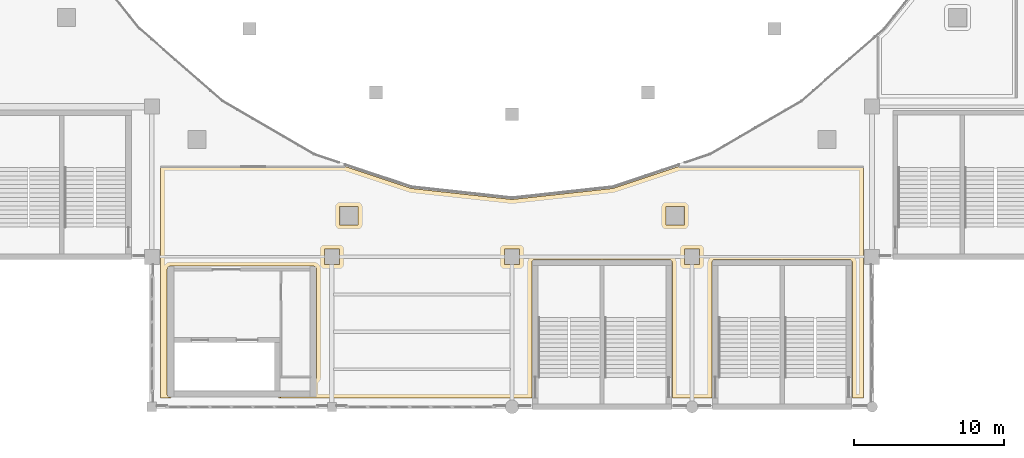
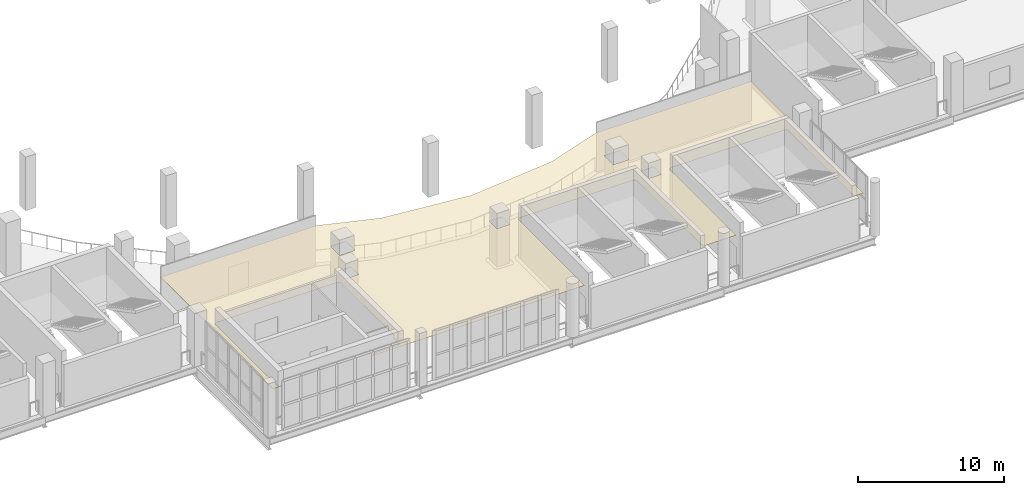
# One storey, part 98 of 108: 1 covering.
"""IFC4 building model written with IfcOpenShell, lengths in metres."""

from ifc_helpers import new_model, si_unit, direction, frame, origin, place, context, subcontext, project, spatial, polyline, outline, extrude, material, layer, layer_set, type_object, element, save


model = new_model("IFC4")

# Units and contexts
model_context = context("Model", 3, precision=1e-05, world=origin(), true_north=direction((0.0, 1.0)))
body_context = subcontext(model_context, "Body", "Model", "MODEL_VIEW")
ifc_project = project(units=[si_unit("LENGTHUNIT", "METRE"), si_unit("AREAUNIT", "SQUARE_METRE"), si_unit("VOLUMEUNIT", "CUBIC_METRE"), si_unit("PLANEANGLEUNIT", "RADIAN"), si_unit("MASSUNIT", "GRAM", prefix="KILO")], contexts=[model_context])

# Site, building, storey
site_placement = place(None, origin())
site = spatial("IfcSite", under=ifc_project, at=site_placement, CompositionType="ELEMENT")
building_placement = place(site_placement, origin())
building = spatial("IfcBuilding", under=site, at=building_placement, Name="Brinegate Civic Arena", CompositionType="ELEMENT")
storey_placement = place(building_placement, frame((0.0, 0.0, 10.199951171875)))
storey = spatial("IfcBuildingStorey", under=building, at=storey_placement, Name="L02", CompositionType="ELEMENT", Elevation=10.199951171875)

# Covering
ifc_material = material(Name="Acoustic perforated aluminium ceiling", Category="aluminium")
ifc_layer = layer(ifc_material, 0.01806640625, Name="Acoustic perforated aluminium ceiling")
ifc_layer_set = layer_set([ifc_layer], Name="Acoustic perforated aluminium ceiling")
covering_type = type_object("IfcCoveringType", Name="CEILING-MOISTURE-18", PredefinedType="CEILING", material=ifc_layer_set)
covering_placement = place(storey_placement, frame((0.0, 0.0, 3.23193359375)))
element("IfcCovering", 1, at=covering_placement, inside=storey, type_object=covering_type, Name="Acoustic Ceiling L02-002", PredefinedType="CEILING", context=body_context, shape_type="SweptSolid", body=[
    extrude(outline(polyline([(131.419921875, 0.595947265625), (131.4189453125, 0.593994140625), (131.41796875, 0.592041015625), (131.41796875, 0.591064453125), (131.4169921875, 0.589111328125), (131.4150390625, 0.5869140625), (131.4140625, 0.5859375), (131.4130859375, 0.5849609375), (131.410888671875, 0.5830078125), (131.408935546875, 0.58203125), (131.407958984375, 0.58203125), (131.406005859375, 0.5810546875), (131.404052734375, 0.580078125), (131.402099609375, 0.580078125), (131.39990234375, 0.580078125), (130.699951171875, 0.580078125), (130.697998046875, 0.580078125), (130.696044921875, 0.580078125), (130.694091796875, 0.5810546875), (130.69189453125, 0.58203125), (130.69091796875, 0.58203125), (130.68896484375, 0.5830078125), (130.68701171875, 0.5849609375), (130.68603515625, 0.5859375), (130.68505859375, 0.5869140625), (130.68310546875, 0.589111328125), (130.681884765625, 0.591064453125), (130.681884765625, 0.592041015625), (130.680908203125, 0.593994140625), (130.679931640625, 0.595947265625), (130.679931640625, 0.597900390625), (130.679931640625, 0.60009765625), (130.679931640625, 9.59912109375), (130.675048828125, 9.64501953125), (130.662109375, 9.68798828125), (130.64111328125, 9.72802734375), (130.613037109375, 9.762939453125), (130.577880859375, 9.791015625), (130.5380859375, 9.81201171875), (130.4951171875, 9.824951171875), (130.448974609375, 9.830078125), (126.14599609375, 9.830078125), (126.09912109375, 9.824951171875), (126.077880859375, 9.820068359375), (126.035888671875, 9.802001953125), (126.010986328125, 9.785888671875), (126.009033203125, 9.784912109375), (126.007080078125, 9.783935546875), (126.0048828125, 9.783935546875), (126.0029296875, 9.782958984375), (126.0009765625, 9.782958984375), (125.9990234375, 9.782958984375), (125.9970703125, 9.782958984375), (125.9951171875, 9.783935546875), (125.992919921875, 9.783935546875), (125.990966796875, 9.784912109375), (125.989013671875, 9.785888671875), (125.964111328125, 9.802001953125), (125.922119140625, 9.820068359375), (125.90087890625, 9.824951171875), (125.85400390625, 9.830078125), (121.551025390625, 9.830078125), (121.5048828125, 9.824951171875), (121.4619140625, 9.81201171875), (121.422119140625, 9.791015625), (121.386962890625, 9.762939453125), (121.35888671875, 9.72802734375), (121.337890625, 9.68798828125), (121.324951171875, 9.64501953125), (121.320068359375, 9.59912109375), (121.320068359375, 0.60009765625), (121.320068359375, 0.597900390625), (121.320068359375, 0.595947265625), (121.319091796875, 0.593994140625), (121.318115234375, 0.592041015625), (121.318115234375, 0.591064453125), (121.31689453125, 0.589111328125), (121.31494140625, 0.5869140625), (121.31396484375, 0.5859375), (121.31298828125, 0.5849609375), (121.31103515625, 0.5830078125), (121.30908203125, 0.58203125), (121.30810546875, 0.58203125), (121.305908203125, 0.5810546875), (121.303955078125, 0.580078125), (121.302001953125, 0.580078125), (121.300048828125, 0.580078125), (118.699951171875, 0.580078125), (118.697998046875, 0.580078125), (118.696044921875, 0.580078125), (118.694091796875, 0.5810546875), (118.69189453125, 0.58203125), (118.69091796875, 0.58203125), (118.68896484375, 0.5830078125), (118.68701171875, 0.5849609375), (118.68603515625, 0.5859375), (118.68505859375, 0.5869140625), (118.68310546875, 0.589111328125), (118.681884765625, 0.591064453125), (118.681884765625, 0.592041015625), (118.680908203125, 0.593994140625), (118.679931640625, 0.595947265625), (118.679931640625, 0.597900390625), (118.679931640625, 0.60009765625), (118.679931640625, 9.59912109375), (118.675048828125, 9.64501953125), (118.662109375, 9.68798828125), (118.64111328125, 9.72802734375), (118.6279296875, 9.74609375), (118.595947265625, 9.777099609375), (118.55908203125, 9.802001953125), (118.51708984375, 9.820068359375), (118.49609375, 9.824951171875), (118.448974609375, 9.830078125), (114.14599609375, 9.830078125), (114.09912109375, 9.824951171875), (114.077880859375, 9.820068359375), (114.035888671875, 9.802001953125), (114.010986328125, 9.785888671875), (114.009033203125, 9.784912109375), (114.007080078125, 9.783935546875), (114.0048828125, 9.783935546875), (114.0029296875, 9.782958984375), (114.0009765625, 9.782958984375), (113.9990234375, 9.782958984375), (113.9970703125, 9.782958984375), (113.9951171875, 9.783935546875), (113.992919921875, 9.783935546875), (113.990966796875, 9.784912109375), (113.989013671875, 9.785888671875), (113.964111328125, 9.802001953125), (113.922119140625, 9.820068359375), (113.90087890625, 9.824951171875), (113.85400390625, 9.830078125), (109.551025390625, 9.830078125), (109.5048828125, 9.824951171875), (109.4619140625, 9.81201171875), (109.422119140625, 9.791015625), (109.386962890625, 9.762939453125), (109.35888671875, 9.72802734375), (109.337890625, 9.68798828125), (109.324951171875, 9.64501953125), (109.320068359375, 9.59912109375), (109.320068359375, 0.60009765625), (109.320068359375, 0.597900390625), (109.320068359375, 0.595947265625), (109.319091796875, 0.593994140625), (109.318115234375, 0.592041015625), (109.318115234375, 0.591064453125), (109.31689453125, 0.589111328125), (109.31494140625, 0.5869140625), (109.31396484375, 0.5859375), (109.31298828125, 0.5849609375), (109.31103515625, 0.5830078125), (109.30908203125, 0.58203125), (109.30810546875, 0.58203125), (109.305908203125, 0.5810546875), (109.303955078125, 0.580078125), (109.302001953125, 0.580078125), (109.300048828125, 0.580078125), (92.449951171875, 0.580078125), (92.447998046875, 0.580078125), (92.446044921875, 0.580078125), (92.444091796875, 0.5810546875), (92.44189453125, 0.58203125), (92.44091796875, 0.58203125), (92.43896484375, 0.5830078125), (92.43701171875, 0.5849609375), (92.43603515625, 0.5859375), (92.43505859375, 0.5869140625), (92.43310546875, 0.589111328125), (92.431884765625, 0.591064453125), (92.431884765625, 0.592041015625), (92.430908203125, 0.593994140625), (92.429931640625, 0.595947265625), (92.429931640625, 0.597900390625), (92.429931640625, 0.60009765625), (92.429931640625, 0.60205078125), (92.429931640625, 0.60400390625), (92.430908203125, 0.60595703125), (92.431884765625, 0.60791015625), (92.431884765625, 0.60888671875), (92.43310546875, 0.611083984375), (92.43505859375, 0.613037109375), (92.43603515625, 0.614013671875), (92.43701171875, 0.614990234375), (92.43896484375, 0.616943359375), (92.44091796875, 0.617919921875), (92.44189453125, 0.617919921875), (92.444091796875, 0.618896484375), (92.446044921875, 0.6201171875), (92.447998046875, 0.6201171875), (92.49609375, 0.625), (92.51708984375, 0.6298828125), (92.55908203125, 0.64794921875), (92.595947265625, 0.673095703125), (92.626953125, 0.7041015625), (92.653076171875, 0.741943359375), (92.662109375, 0.760986328125), (92.674072265625, 0.800048828125), (94.800048828125, 0.800048828125), (94.800048828125, 1.777099609375), (94.818115234375, 1.780029296875), (94.837890625, 1.787109375), (94.85791015625, 1.797119140625), (94.89599609375, 1.822998046875), (94.927978515625, 1.85400390625), (94.94091796875, 1.8720703125), (94.962890625, 1.912109375), (94.969970703125, 1.931884765625), (94.97900390625, 1.97705078125), (94.97998046875, 2.0), (94.97998046875, 9.14892578125), (94.97509765625, 9.195068359375), (94.9619140625, 9.238037109375), (94.94091796875, 9.278076171875), (94.927978515625, 9.2958984375), (94.89599609375, 9.326904296875), (94.85888671875, 9.35205078125), (94.81689453125, 9.3701171875), (94.7958984375, 9.375), (94.7490234375, 9.3798828125), (92.60107421875, 9.3798828125), (92.552001953125, 9.375), (92.550048828125, 9.375), (92.548095703125, 9.375), (92.4990234375, 9.3798828125), (85.2509765625, 9.3798828125), (85.2041015625, 9.375), (85.18310546875, 9.3701171875), (85.14111328125, 9.35205078125), (85.10400390625, 9.326904296875), (85.072021484375, 9.2958984375), (85.05908203125, 9.278076171875), (85.0380859375, 9.238037109375), (85.02490234375, 9.195068359375), (85.02001953125, 9.14892578125), (85.02001953125, 4.551025390625), (85.02490234375, 4.501953125), (85.02490234375, 4.5), (85.02490234375, 4.498046875), (85.02001953125, 4.448974609375), (85.02001953125, 0.85107421875), (85.02490234375, 0.804931640625), (85.0380859375, 0.761962890625), (85.05908203125, 0.721923828125), (85.0869140625, 0.68701171875), (85.1220703125, 0.658935546875), (85.162109375, 0.637939453125), (85.205078125, 0.625), (85.251953125, 0.6201171875), (85.25390625, 0.6201171875), (85.256103515625, 0.618896484375), (85.258056640625, 0.617919921875), (85.259033203125, 0.617919921875), (85.260986328125, 0.616943359375), (85.262939453125, 0.614990234375), (85.263916015625, 0.614013671875), (85.264892578125, 0.613037109375), (85.26708984375, 0.611083984375), (85.26806640625, 0.60888671875), (85.26806640625, 0.60791015625), (85.26904296875, 0.60595703125), (85.27001953125, 0.60400390625), (85.27001953125, 0.60205078125), (85.27001953125, 0.60009765625), (85.27001953125, 0.597900390625), (85.27001953125, 0.595947265625), (85.26904296875, 0.593994140625), (85.26806640625, 0.592041015625), (85.26806640625, 0.591064453125), (85.26708984375, 0.589111328125), (85.264892578125, 0.5869140625), (85.263916015625, 0.5859375), (85.262939453125, 0.5849609375), (85.260986328125, 0.5830078125), (85.259033203125, 0.58203125), (85.258056640625, 0.58203125), (85.256103515625, 0.5810546875), (85.25390625, 0.580078125), (85.251953125, 0.580078125), (85.25, 0.580078125), (84.60009765625, 0.580078125), (84.597900390625, 0.580078125), (84.595947265625, 0.580078125), (84.593994140625, 0.5810546875), (84.592041015625, 0.58203125), (84.591064453125, 0.58203125), (84.589111328125, 0.5830078125), (84.5869140625, 0.5849609375), (84.5859375, 0.5859375), (84.5849609375, 0.5869140625), (84.5830078125, 0.589111328125), (84.58203125, 0.591064453125), (84.58203125, 0.592041015625), (84.5810546875, 0.593994140625), (84.580078125, 0.595947265625), (84.580078125, 0.597900390625), (84.580078125, 0.60009765625), (84.580078125, 16.0), (84.580078125, 16.001953125), (84.580078125, 16.00390625), (84.5810546875, 16.006103515625), (84.58203125, 16.008056640625), (84.58203125, 16.009033203125), (84.5830078125, 16.010986328125), (84.5849609375, 16.012939453125), (84.5859375, 16.013916015625), (84.5869140625, 16.014892578125), (84.589111328125, 16.01708984375), (84.591064453125, 16.01806640625), (84.592041015625, 16.01806640625), (84.593994140625, 16.01904296875), (84.595947265625, 16.02001953125), (84.597900390625, 16.02001953125), (84.60009765625, 16.02001953125), (96.8798828125, 16.02001953125), (96.882080078125, 16.02001953125), (96.884033203125, 16.02001953125), (96.885986328125, 16.01904296875), (101.27587890625, 14.553955078125), (108.0, 13.820068359375), (114.72412109375, 14.553955078125), (119.114013671875, 16.01904296875), (119.115966796875, 16.02001953125), (119.117919921875, 16.02001953125), (119.1201171875, 16.02001953125), (131.39990234375, 16.02001953125), (131.402099609375, 16.02001953125), (131.404052734375, 16.02001953125), (131.406005859375, 16.01904296875), (131.407958984375, 16.01806640625), (131.408935546875, 16.01806640625), (131.410888671875, 16.01708984375), (131.4130859375, 16.014892578125), (131.4140625, 16.013916015625), (131.4150390625, 16.012939453125), (131.4169921875, 16.010986328125), (131.41796875, 16.009033203125), (131.41796875, 16.008056640625), (131.4189453125, 16.006103515625), (131.419921875, 16.00390625), (131.419921875, 16.001953125), (131.419921875, 16.0), (131.419921875, 0.60009765625), (131.419921875, 0.597900390625), (131.419921875, 0.595947265625)]), holes=[polyline([(119.489990234375, 10.510009765625), (119.489990234375, 9.489990234375), (120.510009765625, 9.489990234375), (120.510009765625, 10.510009765625), (119.489990234375, 10.510009765625)]), polyline([(107.489990234375, 10.510009765625), (107.489990234375, 9.489990234375), (108.510009765625, 9.489990234375), (108.510009765625, 10.510009765625), (107.489990234375, 10.510009765625)]), polyline([(96.510009765625, 10.510009765625), (95.489990234375, 10.510009765625), (95.489990234375, 9.489990234375), (96.510009765625, 9.489990234375), (96.510009765625, 10.510009765625)]), polyline([(119.47998046875, 13.347900390625), (118.260009765625, 13.347900390625), (118.260009765625, 12.1279296875), (119.47998046875, 12.1279296875), (119.47998046875, 13.347900390625)]), polyline([(96.52001953125, 13.347900390625), (96.52001953125, 12.1279296875), (97.739990234375, 12.1279296875), (97.739990234375, 13.347900390625), (96.52001953125, 13.347900390625)])]), origin(), (0.0, 0.0, 1.0), 0.01806640625),
])

save(model, "model.ifc")
